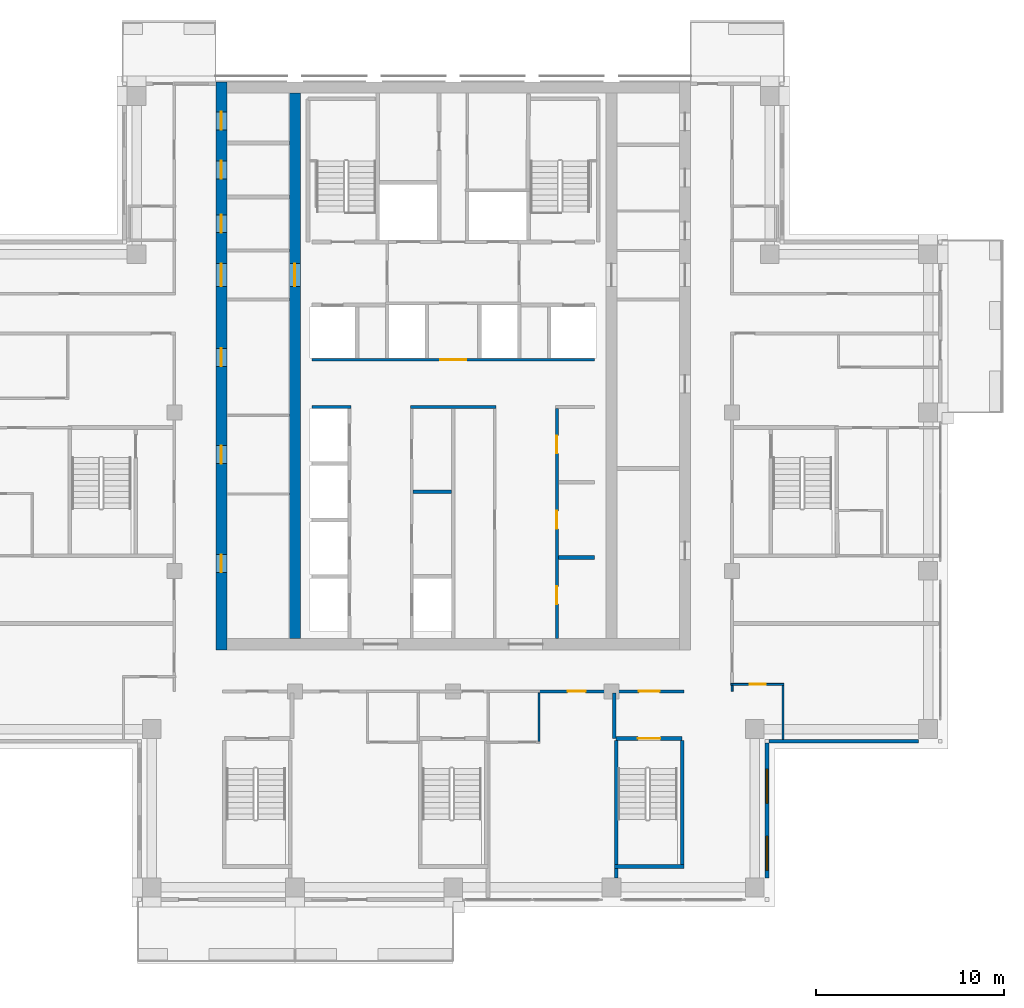
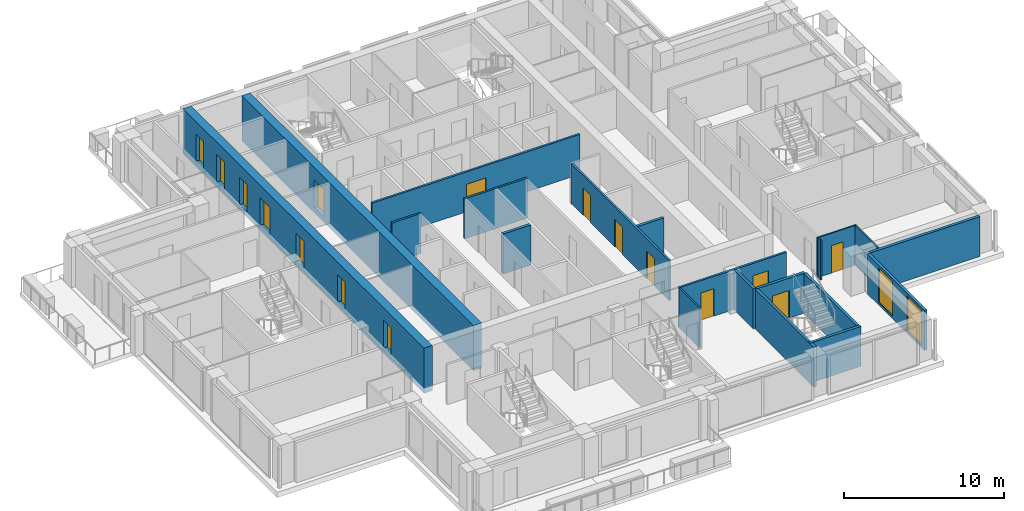
# One storey, part 8 of 15: 20 walls, 16 doors, 2 windows, 18 openings.
"""IFC4 building model written with IfcOpenShell, lengths in metres."""

import ifcopenshell
import ifcopenshell.guid

model = None  # the IFC model being written
_history = None  # IfcOwnerHistory: only IFC2X3 demands one
_inside = {}  # id of a spatial element -> (the spatial element, [elements in it])
_under = {}  # id of a project, library or spatial element -> (it, [spatial elements below it])
_declared = {}  # id of a project -> (the project, [libraries it declares])
_typed = {}  # id of a type object -> (the type object, [elements of that type])
_made_of = {}  # id of a material, layer set ... -> (it, [elements and type objects made of it])


def new_model(schema):
    """Start an empty IFC model of exactly this schema.

    Asked for "IFC4X3", IfcOpenShell would pick the latest addendum, in which some entities
    have other attributes; the version numbers below select the first issue.
    IFC2X3 requires an IfcOwnerHistory on every rooted entity: one is made here for all.
    """
    global model, _history
    if schema == "IFC4X3":
        model = ifcopenshell.file(schema_version=(4, 3, 0, 0))
    else:
        model = ifcopenshell.file(schema=schema)
    _inside.clear()
    _under.clear()
    _declared.clear()
    _typed.clear()
    _made_of.clear()
    _history = None
    if model.schema == "IFC2X3":
        org = make("IfcOrganization", Name="unknown")
        user = make(
            "IfcPersonAndOrganization",
            ThePerson=make("IfcPerson", FamilyName="unknown"),
            TheOrganization=org,
        )
        app = make(
            "IfcApplication",
            ApplicationDeveloper=org,
            Version="unknown",
            ApplicationFullName="unknown",
            ApplicationIdentifier="unknown",
        )
        _history = make(
            "IfcOwnerHistory",
            OwningUser=user,
            OwningApplication=app,
            ChangeAction="ADDED",
            CreationDate=0,
        )
    return model


def make(cls, **values):
    """One entity of the class cls with the attributes given. An attribute that is None is left unset."""
    return model.create_entity(
        cls, **{name: value for name, value in values.items() if value is not None}
    )


def rooted(cls, **values):
    """An entity with a GlobalId (a new one), such as an element, a storey or a relation."""
    return make(cls, GlobalId=ifcopenshell.guid.new(), OwnerHistory=_history, **values)


def si_unit(unit_type, name, prefix=None):
    """IfcSIUnit, for example si_unit("LENGTHUNIT", "METRE", prefix="MILLI")."""
    return make("IfcSIUnit", UnitType=unit_type, Prefix=prefix, Name=name)


def assignment(units):
    """IfcUnitAssignment: the units of a project."""
    return None if units is None else make("IfcUnitAssignment", Units=units)


def point(xyz):
    """IfcCartesianPoint."""
    return None if xyz is None else make("IfcCartesianPoint", Coordinates=xyz)


def direction(xyz):
    """IfcDirection."""
    return None if xyz is None else make("IfcDirection", DirectionRatios=xyz)


def frame(location, z_axis=None, x_axis=None):
    """IfcAxis2Placement3D, a coordinate frame: its origin and axes. An axis left out is left unset."""
    return make(
        "IfcAxis2Placement3D",
        Location=point(location),
        Axis=direction(z_axis),
        RefDirection=direction(x_axis),
    )


def frame_2d(location, x_axis=None):
    """IfcAxis2Placement2D, a coordinate frame in the plane: its origin and x axis."""
    return make(
        "IfcAxis2Placement2D", Location=point(location), RefDirection=direction(x_axis)
    )


def origin():
    """The frame at (0, 0, 0) with its axes left unset."""
    return frame((0.0, 0.0, 0.0))


def place(relative_to, where):
    """IfcLocalPlacement: puts the frame where relative to a parent placement (None: the world)."""
    return make(
        "IfcLocalPlacement", PlacementRelTo=relative_to, RelativePlacement=where
    )


def context(
    kind, dimensions, precision=None, world=None, true_north=None, identifier=None
):
    """IfcGeometricRepresentationContext, for example the 3D "Model" context."""
    return make(
        "IfcGeometricRepresentationContext",
        ContextIdentifier=identifier,
        ContextType=kind,
        CoordinateSpaceDimension=dimensions,
        Precision=precision,
        WorldCoordinateSystem=world,
        TrueNorth=true_north,
    )


def subcontext(parent, identifier, kind, view, scale=None):
    """IfcGeometricRepresentationSubContext, for example "Body" below "Model"."""
    return make(
        "IfcGeometricRepresentationSubContext",
        ContextIdentifier=identifier,
        ContextType=kind,
        ParentContext=parent,
        TargetScale=scale,
        TargetView=view,
    )


def project(units=None, contexts=None):
    """IfcProject with its units and contexts."""
    return rooted(
        "IfcProject",
        Name="project",
        RepresentationContexts=contexts,
        UnitsInContext=assignment(units),
    )


def spatial(cls, under=None, at=None, **own):
    """A site, building, storey or space (cls), placed at a placement, below another one or the project."""
    s = rooted(cls, ObjectPlacement=at, **own)
    if under is not None:
        _under.setdefault(under.id(), (under, []))[1].append(s)
    return s


def profile(cls, at=None, kind="AREA", **sizes):
    """A parametric profile (cls). Its sizes go by their IFC names, for example OverallWidth=200.0."""
    return make(cls, ProfileType=kind, Position=at, **sizes)


def rectangle(**sizes):
    """IfcRectangleProfileDef."""
    return profile("IfcRectangleProfileDef", **sizes)


def extrude(swept, where, along, depth):
    """IfcExtrudedAreaSolid: the profile swept, set in the frame where, extruded along a direction by depth."""
    return make(
        "IfcExtrudedAreaSolid",
        SweptArea=swept,
        Position=where,
        ExtrudedDirection=direction(along),
        Depth=depth,
    )


def shape(context_of_items, identifier, shape_type, items):
    """IfcShapeRepresentation: the items that make up one representation, for example the "Body"."""
    return make(
        "IfcShapeRepresentation",
        ContextOfItems=context_of_items,
        RepresentationIdentifier=identifier,
        RepresentationType=shape_type,
        Items=items,
    )


def material(Name=None, Category=None):
    """IfcMaterial."""
    return make("IfcMaterial", Name=Name, Category=Category)


def layer(
    of_material, thickness, ventilated=None, Name=None, Category=None, Priority=None
):
    """IfcMaterialLayer: one layer of a wall or slab, of a material (None: an air gap)."""
    return make(
        "IfcMaterialLayer",
        Material=of_material,
        LayerThickness=thickness,
        IsVentilated=ventilated,
        Name=Name,
        Category=Category,
        Priority=Priority,
    )


def layer_set(layers, Name=None):
    """IfcMaterialLayerSet."""
    return make("IfcMaterialLayerSet", MaterialLayers=layers, LayerSetName=Name)


def made_of(thing, what):
    """Note that an element or type object is made of a material, layer set ...; save() writes the relation."""
    if what is not None:
        _made_of.setdefault(what.id(), (what, []))[1].append(thing)
    return thing


def type_object(cls, material=None, **own):
    """A type object (cls), such as IfcWallType, which elements share."""
    return made_of(rooted(cls, **own), material)


def element(
    cls,
    number,
    at=None,
    inside=None,
    cuts=None,
    type_object=None,
    material=None,
    context=None,
    identifier="Body",
    shape_type=None,
    held_by="IfcProductDefinitionShape",
    body=None,
    shapes=None,
    **own,
):
    """One element of the class cls, such as IfcWall. Its Tag is "e" and its number.

    at: its placement. inside: the storey or other place that contains it. cuts: it is an
    opening in that element (IfcRelVoidsElement). A single representation is given by context,
    identifier, shape_type and body (its items); several are given by shapes. held_by: the class
    of the entity that holds the representations. save() writes the other relations.
    """
    e = rooted(cls, Tag="e%d" % number, ObjectPlacement=at, **own)
    if body is not None:
        shapes = [shape(context, identifier, shape_type, body)]
    if shapes is not None:
        e.Representation = make(held_by, Representations=shapes)
    if inside is not None:
        _inside.setdefault(inside.id(), (inside, []))[1].append(e)
    if cuts is not None:
        rooted(
            "IfcRelVoidsElement", RelatingBuildingElement=cuts, RelatedOpeningElement=e
        )
    if type_object is not None:
        _typed.setdefault(type_object.id(), (type_object, []))[1].append(e)
    return made_of(e, material)


def fill(opening, filler):
    """IfcRelFillsElement: the door or window that sits in an opening."""
    return rooted(
        "IfcRelFillsElement",
        RelatingOpeningElement=opening,
        RelatedBuildingElement=filler,
    )


def aggregate(whole, parts):
    """IfcRelAggregates: a whole, such as a stair, and the parts it consists of."""
    return rooted("IfcRelAggregates", RelatingObject=whole, RelatedObjects=parts)


def save(model, path):
    """Write the relations noted so far, then the file.

    IfcRelAggregates (storeys below a building ...), IfcRelContainedInSpatialStructure (elements
    in a storey), IfcRelDefinesByType, IfcRelAssociatesMaterial and IfcRelDeclares: one each for
    every whole, place, type object, material and project.
    """
    for whole, parts in _under.values():
        aggregate(whole, parts)
    for where, things in _inside.values():
        rooted(
            "IfcRelContainedInSpatialStructure",
            RelatedElements=things,
            RelatingStructure=where,
        )
    for kind, things in _typed.values():
        rooted("IfcRelDefinesByType", RelatedObjects=things, RelatingType=kind)
    for what, things in _made_of.values():
        rooted("IfcRelAssociatesMaterial", RelatedObjects=things, RelatingMaterial=what)
    for by, libraries in _declared.values():
        rooted("IfcRelDeclares", RelatingContext=by, RelatedDefinitions=libraries)
    model.write(path)


model = new_model("IFC4")

# Units and contexts
model_context = context("Model", 3, precision=1e-05, world=origin(), true_north=direction((0.0, 1.0)))
body_context = subcontext(model_context, "Body", "Model", "MODEL_VIEW")
ifc_project = project(units=[si_unit("LENGTHUNIT", "METRE"), si_unit("AREAUNIT", "SQUARE_METRE"), si_unit("VOLUMEUNIT", "CUBIC_METRE"), si_unit("PLANEANGLEUNIT", "RADIAN"), si_unit("MASSUNIT", "GRAM", prefix="KILO")], contexts=[model_context])

# Site, building, storey
site_placement = place(None, origin())
site = spatial("IfcSite", under=ifc_project, at=site_placement, CompositionType="ELEMENT")
building_placement = place(site_placement, origin())
building = spatial("IfcBuilding", under=site, at=building_placement, Name="Vermilion Ogive Tower", CompositionType="ELEMENT")
storey_placement = place(building_placement, frame((0.0, 0.0, 210.050048828125)))
storey = spatial("IfcBuildingStorey", under=building, at=storey_placement, Name="L55", CompositionType="ELEMENT", Elevation=210.050048828125)

# Wall, openings, doors
ifc_material_1 = material(Name="Concrete B60", Category="concrete")
ifc_layer_1 = layer(ifc_material_1, 0.60009765625)
ifc_layer_set_1 = layer_set([ifc_layer_1], Name="Core wall 600 B60")
wall_type_1 = type_object("IfcWallType", Name="Core wall 600 B60", PredefinedType="SHEAR", material=ifc_layer_set_1)
wall_1_placement = place(storey_placement, frame((-12.300048828125, -8.39990234375, -0.400146484375), z_axis=(0.0, 0.0, 1.0), x_axis=(0.0, 1.0, 0.0)))
wall_1 = element("IfcWall", 1, at=wall_1_placement, inside=storey, type_object=wall_type_1, Name="L55-CORE-W", PredefinedType="SHEAR", context=body_context, shape_type="SweptSolid", body=[
    extrude(rectangle(XDim=30.14990234375, YDim=0.60009765625, at=frame_2d((15.074951171875, 0.0))), origin(), (0.0, 0.0, 1.0), 3.4501953125),
])
opening_1_placement = place(wall_1_placement, frame((4.112548828125, 0.0, 0.39990234375)))
opening_1 = element("IfcOpeningElement", 2, at=opening_1_placement, cuts=wall_1, Name="Opening DAD089", PredefinedType="OPENING", context=body_context, shape_type="SweptSolid", body=[
    extrude(rectangle(XDim=0.949951171875, YDim=2.10009765625, at=frame_2d((0.47509765625, 1.050048828125))), frame((0.0, 0.31005859375, 0.0), z_axis=(0.0, -1.0, 0.0), x_axis=(1.0, 0.0, 0.0)), (0.0, 0.0, 1.0), 0.6201171875),
])
opening_2_placement = place(wall_1_placement, frame((9.8896484375, 0.0, 0.39990234375)))
opening_2 = element("IfcOpeningElement", 3, at=opening_2_placement, cuts=wall_1, Name="Opening DAD090", PredefinedType="OPENING", context=body_context, shape_type="SweptSolid", body=[
    extrude(rectangle(XDim=0.949951171875, YDim=2.10009765625, at=frame_2d((0.47509765625, 1.050048828125))), frame((0.0, 0.31005859375, 0.0), z_axis=(0.0, -1.0, 0.0), x_axis=(1.0, 0.0, 0.0)), (0.0, 0.0, 1.0), 0.6201171875),
])
opening_3_placement = place(wall_1_placement, frame((15.052001953125, 0.0, 0.39990234375)))
opening_3 = element("IfcOpeningElement", 4, at=opening_3_placement, cuts=wall_1, Name="Opening DAD091", PredefinedType="OPENING", context=body_context, shape_type="SweptSolid", body=[
    extrude(rectangle(XDim=0.949951171875, YDim=2.10009765625, at=frame_2d((0.47509765625, 1.050048828125))), frame((0.0, 0.31005859375, 0.0), z_axis=(0.0, -1.0, 0.0), x_axis=(1.0, 0.0, 0.0)), (0.0, 0.0, 1.0), 0.6201171875),
])
opening_4_placement = place(wall_1_placement, frame((22.1435546875, 0.0, 0.39990234375)))
opening_4 = element("IfcOpeningElement", 5, at=opening_4_placement, cuts=wall_1, Name="Opening DAD092", PredefinedType="OPENING", context=body_context, shape_type="SweptSolid", body=[
    extrude(rectangle(XDim=0.949951171875, YDim=2.10009765625, at=frame_2d((0.47509765625, 1.050048828125))), frame((0.0, 0.31005859375, 0.0), z_axis=(0.0, -1.0, 0.0), x_axis=(1.0, 0.0, 0.0)), (0.0, 0.0, 1.0), 0.6201171875),
])
opening_5_placement = place(wall_1_placement, frame((24.998291015625, 0.0, 0.39990234375)))
opening_5 = element("IfcOpeningElement", 6, at=opening_5_placement, cuts=wall_1, Name="Opening DAD093", PredefinedType="OPENING", context=body_context, shape_type="SweptSolid", body=[
    extrude(rectangle(XDim=0.949951171875, YDim=2.10009765625, at=frame_2d((0.47509765625, 1.050048828125))), frame((0.0, 0.31005859375, 0.0), z_axis=(0.0, -1.0, 0.0), x_axis=(1.0, 0.0, 0.0)), (0.0, 0.0, 1.0), 0.6201171875),
])
opening_6_placement = place(wall_1_placement, frame((27.604736328125, 0.0, 0.39990234375)))
opening_6 = element("IfcOpeningElement", 7, at=opening_6_placement, cuts=wall_1, Name="Opening DAD094", PredefinedType="OPENING", context=body_context, shape_type="SweptSolid", body=[
    extrude(rectangle(XDim=0.949951171875, YDim=2.10009765625, at=frame_2d((0.47509765625, 1.050048828125))), frame((0.0, 0.31005859375, 0.0), z_axis=(0.0, -1.0, 0.0), x_axis=(1.0, 0.0, 0.0)), (0.0, 0.0, 1.0), 0.6201171875),
])
opening_7_placement = place(wall_1_placement, frame((19.300048828125, 0.0, 0.39990234375)))
opening_7 = element("IfcOpeningElement", 8, at=opening_7_placement, cuts=wall_1, Name="Opening DAM022", PredefinedType="OPENING", context=body_context, shape_type="SweptSolid", body=[
    extrude(rectangle(XDim=1.199951171875, YDim=2.10009765625, at=frame_2d((0.60009765625, 1.050048828125))), frame((0.0, 0.31005859375, 0.0), z_axis=(0.0, -1.0, 0.0), x_axis=(1.0, 0.0, 0.0)), (0.0, 0.0, 1.0), 0.6201171875),
])
ifc_material_2 = material(Name="Timber door leaf", Category="wood")
door_type_1 = type_object("IfcDoorType", Name="Link door 1200 x 2100 FD60S", OperationType="SINGLE_SWING_LEFT", PredefinedType="DOOR", material=ifc_material_2)
door_1_placement = place(opening_7_placement, origin())
door_1 = element("IfcDoor", 9, at=door_1_placement, inside=storey, type_object=door_type_1, Name="L55-CKW-XL", OperationType="SINGLE_SWING_LEFT", OverallHeight=2.10009765625, OverallWidth=1.199951171875, PredefinedType="DOOR", context=body_context, shape_type="SweptSolid", body=[
    extrude(rectangle(XDim=1.199951171875, YDim=2.10009765625, at=frame_2d((0.60009765625, 1.050048828125))), frame((0.0, 0.02490234375, 0.0), z_axis=(0.0, -1.0, 0.0), x_axis=(1.0, 0.0, 0.0)), (0.0, 0.0, 1.0), 0.050048828125),
])
fill(opening_7, door_1)
ifc_material_3 = material(Name="Timber door leaf", Category="wood")
door_type_2 = type_object("IfcDoorType", Name="Service door 950 x 2100 FD60", OperationType="SINGLE_SWING_LEFT", PredefinedType="DOOR", material=ifc_material_3)
door_2_placement = place(opening_1_placement, origin())
door_2 = element("IfcDoor", 10, at=door_2_placement, inside=storey, type_object=door_type_2, Name="L55-CKW-XR0", OperationType="SINGLE_SWING_LEFT", OverallHeight=2.10009765625, OverallWidth=0.949951171875, PredefinedType="DOOR", context=body_context, shape_type="SweptSolid", body=[
    extrude(rectangle(XDim=0.949951171875, YDim=2.10009765625, at=frame_2d((0.47509765625, 1.050048828125))), frame((0.0, 0.02490234375, 0.0), z_axis=(0.0, -1.0, 0.0), x_axis=(1.0, 0.0, 0.0)), (0.0, 0.0, 1.0), 0.050048828125),
])
fill(opening_1, door_2)
door_3_placement = place(opening_2_placement, origin())
door_3 = element("IfcDoor", 11, at=door_3_placement, inside=storey, type_object=door_type_2, Name="L55-CKW-XR1", OperationType="SINGLE_SWING_LEFT", OverallHeight=2.10009765625, OverallWidth=0.949951171875, PredefinedType="DOOR", context=body_context, shape_type="SweptSolid", body=[
    extrude(rectangle(XDim=0.949951171875, YDim=2.10009765625, at=frame_2d((0.47509765625, 1.050048828125))), frame((0.0, 0.02490234375, 0.0), z_axis=(0.0, -1.0, 0.0), x_axis=(1.0, 0.0, 0.0)), (0.0, 0.0, 1.0), 0.050048828125),
])
fill(opening_2, door_3)
door_4_placement = place(opening_3_placement, origin())
door_4 = element("IfcDoor", 12, at=door_4_placement, inside=storey, type_object=door_type_2, Name="L55-CKW-XR2", OperationType="SINGLE_SWING_LEFT", OverallHeight=2.10009765625, OverallWidth=0.949951171875, PredefinedType="DOOR", context=body_context, shape_type="SweptSolid", body=[
    extrude(rectangle(XDim=0.949951171875, YDim=2.10009765625, at=frame_2d((0.47509765625, 1.050048828125))), frame((0.0, 0.02490234375, 0.0), z_axis=(0.0, -1.0, 0.0), x_axis=(1.0, 0.0, 0.0)), (0.0, 0.0, 1.0), 0.050048828125),
])
fill(opening_3, door_4)
door_5_placement = place(opening_4_placement, origin())
door_5 = element("IfcDoor", 13, at=door_5_placement, inside=storey, type_object=door_type_2, Name="L55-CKW-XR3", OperationType="SINGLE_SWING_LEFT", OverallHeight=2.10009765625, OverallWidth=0.949951171875, PredefinedType="DOOR", context=body_context, shape_type="SweptSolid", body=[
    extrude(rectangle(XDim=0.949951171875, YDim=2.10009765625, at=frame_2d((0.47509765625, 1.050048828125))), frame((0.0, 0.02490234375, 0.0), z_axis=(0.0, -1.0, 0.0), x_axis=(1.0, 0.0, 0.0)), (0.0, 0.0, 1.0), 0.050048828125),
])
fill(opening_4, door_5)
door_6_placement = place(opening_5_placement, origin())
door_6 = element("IfcDoor", 14, at=door_6_placement, inside=storey, type_object=door_type_2, Name="L55-CKW-XR4", OperationType="SINGLE_SWING_LEFT", OverallHeight=2.10009765625, OverallWidth=0.949951171875, PredefinedType="DOOR", context=body_context, shape_type="SweptSolid", body=[
    extrude(rectangle(XDim=0.949951171875, YDim=2.10009765625, at=frame_2d((0.47509765625, 1.050048828125))), frame((0.0, 0.02490234375, 0.0), z_axis=(0.0, -1.0, 0.0), x_axis=(1.0, 0.0, 0.0)), (0.0, 0.0, 1.0), 0.050048828125),
])
fill(opening_5, door_6)
door_7_placement = place(opening_6_placement, origin())
door_7 = element("IfcDoor", 15, at=door_7_placement, inside=storey, type_object=door_type_2, Name="L55-CKW-XR5", OperationType="SINGLE_SWING_LEFT", OverallHeight=2.10009765625, OverallWidth=0.949951171875, PredefinedType="DOOR", context=body_context, shape_type="SweptSolid", body=[
    extrude(rectangle(XDim=0.949951171875, YDim=2.10009765625, at=frame_2d((0.47509765625, 1.050048828125))), frame((0.0, 0.02490234375, 0.0), z_axis=(0.0, -1.0, 0.0), x_axis=(1.0, 0.0, 0.0)), (0.0, 0.0, 1.0), 0.050048828125),
])
fill(opening_6, door_7)

# Wall, opening, door
wall_2_placement = place(storey_placement, frame((-8.39990234375, -7.800048828125, -0.400146484375), z_axis=(0.0, 0.0, 1.0), x_axis=(0.0, 1.0, 0.0)))
wall_2 = element("IfcWall", 16, at=wall_2_placement, inside=storey, type_object=wall_type_1, Name="L55-CORE-WEB1", PredefinedType="SHEAR", context=body_context, shape_type="SweptSolid", body=[
    extrude(rectangle(XDim=28.949951171875, YDim=0.60009765625, at=frame_2d((14.47509765625, 0.0))), origin(), (0.0, 0.0, 1.0), 3.4501953125),
])
opening_8_placement = place(wall_2_placement, frame((18.699951171875, 0.0, 0.39990234375)))
opening_8 = element("IfcOpeningElement", 17, at=opening_8_placement, cuts=wall_2, Name="Opening DAP017", PredefinedType="OPENING", context=body_context, shape_type="SweptSolid", body=[
    extrude(rectangle(XDim=1.199951171875, YDim=2.10009765625, at=frame_2d((0.60009765625, 1.050048828125))), frame((0.0, 0.31005859375, 0.0), z_axis=(0.0, -1.0, 0.0), x_axis=(1.0, 0.0, 0.0)), (0.0, 0.0, 1.0), 0.6201171875),
])
door_8_placement = place(opening_8_placement, origin())
door_8 = element("IfcDoor", 18, at=door_8_placement, inside=storey, type_object=door_type_1, Name="L55-CKW-XW", OperationType="SINGLE_SWING_LEFT", OverallHeight=2.10009765625, OverallWidth=1.199951171875, PredefinedType="DOOR", context=body_context, shape_type="SweptSolid", body=[
    extrude(rectangle(XDim=1.199951171875, YDim=2.10009765625, at=frame_2d((0.60009765625, 1.050048828125))), frame((0.0, 0.02490234375, 0.0), z_axis=(0.0, -1.0, 0.0), x_axis=(1.0, 0.0, 0.0)), (0.0, 0.0, 1.0), 0.050048828125),
])
fill(opening_8, door_8)

ifc_material_4 = material(Name="Gypsum board partition on steel studs", Category="steel")
ifc_layer_2 = layer(ifc_material_4, 0.10009765625)
ifc_layer_set_2 = layer_set([ifc_layer_2], Name="Partition 100 bath")
wall_type_2 = type_object("IfcWallType", Name="Partition 100 bath", PredefinedType="PARTITIONING", material=ifc_layer_set_2)
wall_3_placement = place(storey_placement, frame((14.72509765625, -10.22998046875, 0.0), z_axis=(0.0, 0.0, 1.0), x_axis=(1.0, 0.0, 0.0)))
wall_3 = element("IfcWall", 19, at=wall_3_placement, inside=storey, type_object=wall_type_2, Name="L55-W-W012", PredefinedType="PARTITIONING", context=body_context, shape_type="SweptSolid", body=[
    extrude(rectangle(XDim=2.824951171875, YDim=0.10009765625, at=frame_2d((1.41259765625, 0.0))), origin(), (0.0, 0.0, 1.0), 3.050048828125),
])
opening_9_placement = place(wall_3_placement, frame((1.0, 0.0, 0.0)))
opening_9 = element("IfcOpeningElement", 20, at=opening_9_placement, cuts=wall_3, Name="Opening D4G5014", PredefinedType="OPENING", context=body_context, shape_type="SweptSolid", body=[
    extrude(rectangle(XDim=0.85009765625, YDim=2.10009765625, at=frame_2d((0.425048828125, 1.050048828125))), frame((0.0, 0.06005859375, 0.0), z_axis=(0.0, -1.0, 0.0), x_axis=(1.0, 0.0, 0.0)), (0.0, 0.0, 1.0), 0.1201171875),
])
ifc_material_5 = material(Name="Timber door leaf", Category="wood")
door_type_3 = type_object("IfcDoorType", Name="Bath door 850 x 2100 FD30", OperationType="SINGLE_SWING_LEFT", PredefinedType="DOOR", material=ifc_material_5)
door_9_placement = place(opening_9_placement, origin())
door_9 = element("IfcDoor", 21, at=door_9_placement, inside=storey, type_object=door_type_3, Name="L55-D-D014", OperationType="SINGLE_SWING_RIGHT", OverallHeight=2.10009765625, OverallWidth=0.85009765625, PredefinedType="DOOR", context=body_context, shape_type="SweptSolid", body=[
    extrude(rectangle(XDim=0.85009765625, YDim=2.10009765625, at=frame_2d((0.425048828125, 1.050048828125))), frame((0.0, 0.02490234375, 0.0), z_axis=(0.0, -1.0, 0.0), x_axis=(1.0, 0.0, 0.0)), (0.0, 0.0, 1.0), 0.050048828125),
])
fill(opening_9, door_9)

# Walls
wall_4_placement = place(storey_placement, frame((4.550048828125, -13.25, 0.0), z_axis=(0.0, 0.0, 1.0), x_axis=(0.0, 1.0, 0.0)))
element("IfcWall", 22, at=wall_4_placement, inside=storey, type_object=wall_type_2, Name="L55-W-W057", PredefinedType="PARTITIONING", context=body_context, shape_type="SweptSolid", body=[
    extrude(rectangle(XDim=2.574951171875, YDim=0.10009765625, at=frame_2d((1.28759765625, 0.0))), origin(), (0.0, 0.0, 1.0), 3.050048828125),
])
wall_5_placement = place(storey_placement, frame((14.800048828125, -10.60009765625, 0.0), z_axis=(0.0, 0.0, 1.0), x_axis=(0.0, 1.0, 0.0)))
element("IfcWall", 23, at=wall_5_placement, inside=storey, type_object=wall_type_2, Name="L55-W-W059", PredefinedType="PARTITIONING", context=body_context, shape_type="SweptSolid", body=[
    extrude(rectangle(XDim=0.320068359375, YDim=0.10009765625, at=frame_2d((0.16015625, 0.0))), origin(), (0.0, 0.0, 1.0), 3.050048828125),
])
wall_6_placement = place(storey_placement, frame((17.5, -13.14990234375, 0.0), z_axis=(0.0, 0.0, 1.0), x_axis=(0.0, 1.0, 0.0)))
element("IfcWall", 24, at=wall_6_placement, inside=storey, type_object=wall_type_2, Name="L55-W-W066", PredefinedType="PARTITIONING", context=body_context, shape_type="SweptSolid", body=[
    extrude(rectangle(XDim=2.869873046875, YDim=0.10009765625, at=frame_2d((1.43505859375, 0.0))), origin(), (0.0, 0.0, 1.0), 3.050048828125),
])

# Wall, openings, doors
ifc_material_6 = material(Name="Gypsum board partition on steel studs", Category="steel")
ifc_layer_3 = layer(ifc_material_6, 0.14990234375)
ifc_layer_set_3 = layer_set([ifc_layer_3], Name="Partition 150 corridor")
wall_type_3 = type_object("IfcWallType", Name="Partition 150 corridor", PredefinedType="PARTITIONING", material=ifc_layer_set_3)
wall_7_placement = place(storey_placement, frame((4.5, -10.60009765625, 0.0), z_axis=(0.0, 0.0, 1.0), x_axis=(1.0, 0.0, 0.0)))
wall_7 = element("IfcWall", 25, at=wall_7_placement, inside=storey, type_object=wall_type_3, Name="L55-W-W011", PredefinedType="PARTITIONING", context=body_context, shape_type="SweptSolid", body=[
    extrude(rectangle(XDim=7.75, YDim=0.14990234375, at=frame_2d((3.875, 0.0))), origin(), (0.0, 0.0, 1.0), 3.050048828125),
])
opening_10_placement = place(wall_7_placement, frame((1.574951171875, 0.0, 0.0)))
opening_10 = element("IfcOpeningElement", 26, at=opening_10_placement, cuts=wall_7, Name="Opening D4G5011", PredefinedType="OPENING", context=body_context, shape_type="SweptSolid", body=[
    extrude(rectangle(XDim=0.949951171875, YDim=2.10009765625, at=frame_2d((0.47509765625, 1.050048828125))), frame((0.0, 0.0849609375, 0.0), z_axis=(0.0, -1.0, 0.0), x_axis=(1.0, 0.0, 0.0)), (0.0, 0.0, 1.0), 0.169921875),
])
opening_11_placement = place(wall_7_placement, frame((5.35009765625, 0.0, 0.0)))
opening_11 = element("IfcOpeningElement", 27, at=opening_11_placement, cuts=wall_7, Name="Opening D4G5026", PredefinedType="OPENING", context=body_context, shape_type="SweptSolid", body=[
    extrude(rectangle(XDim=1.10009765625, YDim=2.10009765625, at=frame_2d((0.550048828125, 1.050048828125))), frame((0.0, 0.0849609375, 0.0), z_axis=(0.0, -1.0, 0.0), x_axis=(1.0, 0.0, 0.0)), (0.0, 0.0, 1.0), 0.169921875),
])
ifc_material_7 = material(Name="Timber door leaf", Category="wood")
door_type_4 = type_object("IfcDoorType", Name="Stair door 1100 x 2100 FD60S", OperationType="SINGLE_SWING_LEFT", PredefinedType="DOOR", material=ifc_material_7)
door_10_placement = place(opening_11_placement, origin())
door_10 = element("IfcDoor", 28, at=door_10_placement, inside=storey, type_object=door_type_4, Name="L55-D-D026", OperationType="SINGLE_SWING_LEFT", OverallHeight=2.10009765625, OverallWidth=1.10009765625, PredefinedType="DOOR", context=body_context, shape_type="SweptSolid", body=[
    extrude(rectangle(XDim=1.10009765625, YDim=2.10009765625, at=frame_2d((0.550048828125, 1.050048828125))), frame((0.0, 0.02490234375, 0.0), z_axis=(0.0, -1.0, 0.0), x_axis=(1.0, 0.0, 0.0)), (0.0, 0.0, 1.0), 0.050048828125),
])
fill(opening_11, door_10)
ifc_material_8 = material(Name="Timber door leaf", Category="wood")
door_type_5 = type_object("IfcDoorType", Name="Unit door 950 x 2100 FD30S", OperationType="SINGLE_SWING_LEFT", PredefinedType="DOOR", material=ifc_material_8)
door_11_placement = place(opening_10_placement, origin())
door_11 = element("IfcDoor", 29, at=door_11_placement, inside=storey, type_object=door_type_5, Name="L55-D-D011", OperationType="SINGLE_SWING_LEFT", OverallHeight=2.10009765625, OverallWidth=0.949951171875, PredefinedType="DOOR", context=body_context, shape_type="SweptSolid", body=[
    extrude(rectangle(XDim=0.949951171875, YDim=2.10009765625, at=frame_2d((0.47509765625, 1.050048828125))), frame((0.0, 0.02490234375, 0.0), z_axis=(0.0, -1.0, 0.0), x_axis=(1.0, 0.0, 0.0)), (0.0, 0.0, 1.0), 0.050048828125),
])
fill(opening_10, door_11)

# Walls
wall_8_placement = place(storey_placement, frame((-7.5, 4.5, 0.0), z_axis=(0.0, 0.0, 1.0), x_axis=(1.0, 0.0, 0.0)))
element("IfcWall", 30, at=wall_8_placement, inside=storey, type_object=wall_type_3, Name="L55-CK-W-W008", PredefinedType="PARTITIONING", context=body_context, shape_type="SweptSolid", body=[
    extrude(rectangle(XDim=2.074951171875, YDim=0.14990234375, at=frame_2d((1.03759765625, 0.0))), origin(), (0.0, 0.0, 1.0), 3.050048828125),
])
wall_9_placement = place(storey_placement, frame((-2.27490234375, 4.5, 0.0), z_axis=(0.0, 0.0, 1.0), x_axis=(1.0, 0.0, 0.0)))
element("IfcWall", 31, at=wall_9_placement, inside=storey, type_object=wall_type_3, Name="L55-CK-W-W009", PredefinedType="PARTITIONING", context=body_context, shape_type="SweptSolid", body=[
    extrude(rectangle(XDim=4.5498046875, YDim=0.14990234375, at=frame_2d((2.27490234375, 0.0))), origin(), (0.0, 0.0, 1.0), 3.050048828125),
])

# Wall, opening, door
wall_10_placement = place(storey_placement, frame((-7.5, 7.0, 0.0), z_axis=(0.0, 0.0, 1.0), x_axis=(1.0, 0.0, 0.0)))
wall_10 = element("IfcWall", 32, at=wall_10_placement, inside=storey, type_object=wall_type_3, Name="L55-CK-W-W011", PredefinedType="PARTITIONING", context=body_context, shape_type="SweptSolid", body=[
    extrude(rectangle(XDim=15.0, YDim=0.14990234375, at=frame_2d((7.5, 0.0))), origin(), (0.0, 0.0, 1.0), 3.050048828125),
])
opening_12_placement = place(wall_10_placement, frame((6.800048828125, 0.0, 0.0)))
opening_12 = element("IfcOpeningElement", 33, at=opening_12_placement, cuts=wall_10, Name="Opening DAA492", PredefinedType="OPENING", context=body_context, shape_type="SweptSolid", body=[
    extrude(rectangle(XDim=1.39990234375, YDim=2.10009765625, at=frame_2d((0.699951171875, 1.050048828125))), frame((0.0, 0.0849609375, 0.0), z_axis=(0.0, -1.0, 0.0), x_axis=(1.0, 0.0, 0.0)), (0.0, 0.0, 1.0), 0.169921875),
])
ifc_material_9 = material(Name="Timber door leaf", Category="wood")
door_type_6 = type_object("IfcDoorType", Name="Lobby door 1400 x 2100 FD60S", OperationType="SINGLE_SWING_LEFT", PredefinedType="DOOR", material=ifc_material_9)
door_12_placement = place(opening_12_placement, origin())
door_12 = element("IfcDoor", 34, at=door_12_placement, inside=storey, type_object=door_type_6, Name="L55-CK-D-D016", OperationType="SINGLE_SWING_RIGHT", OverallHeight=2.10009765625, OverallWidth=1.39990234375, PredefinedType="DOOR", context=body_context, shape_type="SweptSolid", body=[
    extrude(rectangle(XDim=1.39990234375, YDim=2.10009765625, at=frame_2d((0.699951171875, 1.050048828125))), frame((0.0, 0.02490234375, 0.0), z_axis=(0.0, -1.0, 0.0), x_axis=(1.0, 0.0, 0.0)), (0.0, 0.0, 1.0), 0.050048828125),
])
fill(opening_12, door_12)

# Wall, openings, doors
wall_11_placement = place(storey_placement, frame((5.5, -7.799072265625, 0.0), z_axis=(0.0, 0.0, 1.0), x_axis=(0.0, 1.0, 0.0)))
wall_11 = element("IfcWall", 35, at=wall_11_placement, inside=storey, type_object=wall_type_3, Name="L55-CK-W-W038", PredefinedType="PARTITIONING", context=body_context, shape_type="SweptSolid", body=[
    extrude(rectangle(XDim=12.22412109375, YDim=0.14990234375, at=frame_2d((6.112060546875, 0.0))), origin(), (0.0, 0.0, 1.0), 3.050048828125),
])
opening_13_placement = place(wall_11_placement, frame((1.823974609375, 0.0, 0.0)))
opening_13 = element("IfcOpeningElement", 36, at=opening_13_placement, cuts=wall_11, Name="Opening DAA498", PredefinedType="OPENING", context=body_context, shape_type="SweptSolid", body=[
    extrude(rectangle(XDim=0.949951171875, YDim=2.10009765625, at=frame_2d((0.47509765625, 1.050048828125))), frame((0.0, 0.0849609375, 0.0), z_axis=(0.0, -1.0, 0.0), x_axis=(1.0, 0.0, 0.0)), (0.0, 0.0, 1.0), 0.169921875),
])
opening_14_placement = place(wall_11_placement, frame((5.823974609375, 0.0, 0.0)))
opening_14 = element("IfcOpeningElement", 37, at=opening_14_placement, cuts=wall_11, Name="Opening DAA499", PredefinedType="OPENING", context=body_context, shape_type="SweptSolid", body=[
    extrude(rectangle(XDim=0.949951171875, YDim=2.10009765625, at=frame_2d((0.47509765625, 1.050048828125))), frame((0.0, 0.0849609375, 0.0), z_axis=(0.0, -1.0, 0.0), x_axis=(1.0, 0.0, 0.0)), (0.0, 0.0, 1.0), 0.169921875),
])
opening_15_placement = place(wall_11_placement, frame((9.823974609375, 0.0, 0.0)))
opening_15 = element("IfcOpeningElement", 38, at=opening_15_placement, cuts=wall_11, Name="Opening DAA500", PredefinedType="OPENING", context=body_context, shape_type="SweptSolid", body=[
    extrude(rectangle(XDim=0.949951171875, YDim=2.10009765625, at=frame_2d((0.47509765625, 1.050048828125))), frame((0.0, 0.0849609375, 0.0), z_axis=(0.0, -1.0, 0.0), x_axis=(1.0, 0.0, 0.0)), (0.0, 0.0, 1.0), 0.169921875),
])
door_13_placement = place(opening_13_placement, origin())
door_13 = element("IfcDoor", 39, at=door_13_placement, inside=storey, type_object=door_type_2, Name="L55-CK-D-D009", OperationType="SINGLE_SWING_LEFT", OverallHeight=2.10009765625, OverallWidth=0.949951171875, PredefinedType="DOOR", context=body_context, shape_type="SweptSolid", body=[
    extrude(rectangle(XDim=0.949951171875, YDim=2.10009765625, at=frame_2d((0.47509765625, 1.050048828125))), frame((0.0, 0.02490234375, 0.0), z_axis=(0.0, -1.0, 0.0), x_axis=(1.0, 0.0, 0.0)), (0.0, 0.0, 1.0), 0.050048828125),
])
fill(opening_13, door_13)
door_14_placement = place(opening_14_placement, origin())
door_14 = element("IfcDoor", 40, at=door_14_placement, inside=storey, type_object=door_type_2, Name="L55-CK-D-D010", OperationType="SINGLE_SWING_LEFT", OverallHeight=2.10009765625, OverallWidth=0.949951171875, PredefinedType="DOOR", context=body_context, shape_type="SweptSolid", body=[
    extrude(rectangle(XDim=0.949951171875, YDim=2.10009765625, at=frame_2d((0.47509765625, 1.050048828125))), frame((0.0, 0.02490234375, 0.0), z_axis=(0.0, -1.0, 0.0), x_axis=(1.0, 0.0, 0.0)), (0.0, 0.0, 1.0), 0.050048828125),
])
fill(opening_14, door_14)
door_15_placement = place(opening_15_placement, origin())
door_15 = element("IfcDoor", 41, at=door_15_placement, inside=storey, type_object=door_type_2, Name="L55-CK-D-D011", OperationType="SINGLE_SWING_RIGHT", OverallHeight=2.10009765625, OverallWidth=0.949951171875, PredefinedType="DOOR", context=body_context, shape_type="SweptSolid", body=[
    extrude(rectangle(XDim=0.949951171875, YDim=2.10009765625, at=frame_2d((0.47509765625, 1.050048828125))), frame((0.0, 0.02490234375, 0.0), z_axis=(0.0, -1.0, 0.0), x_axis=(1.0, 0.0, 0.0)), (0.0, 0.0, 1.0), 0.050048828125),
])
fill(opening_15, door_15)

# Walls
ifc_material_10 = material(Name="Gypsum board partition on steel studs", Category="steel")
ifc_layer_4 = layer(ifc_material_10, 0.199951171875)
ifc_layer_set_4 = layer_set([ifc_layer_4], Name="Partition 200 party")
wall_type_4 = type_object("IfcWallType", Name="Partition 200 party", PredefinedType="PARTITIONING", material=ifc_layer_set_4)
wall_12_placement = place(storey_placement, frame((8.550048828125, -13.10009765625, 0.0), z_axis=(0.0, 0.0, 1.0), x_axis=(0.0, 1.0, 0.0)))
element("IfcWall", 42, at=wall_12_placement, inside=storey, type_object=wall_type_4, Name="L55-W-W058", PredefinedType="PARTITIONING", context=body_context, shape_type="SweptSolid", body=[
    extrude(rectangle(XDim=2.425048828125, YDim=0.199951171875, at=frame_2d((1.21240234375, 0.0))), origin(), (0.0, 0.0, 1.0), 3.050048828125),
])
wall_13_placement = place(storey_placement, frame((5.574951171875, -3.5, 0.0), z_axis=(0.0, 0.0, 1.0), x_axis=(1.0, 0.0, 0.0)))
element("IfcWall", 43, at=wall_13_placement, inside=storey, type_object=wall_type_4, Name="L55-CK-W-W003", PredefinedType="PARTITIONING", context=body_context, shape_type="SweptSolid", body=[
    extrude(rectangle(XDim=1.925048828125, YDim=0.199951171875, at=frame_2d((0.96240234375, 0.0))), origin(), (0.0, 0.0, 1.0), 3.050048828125),
])
wall_14_placement = place(storey_placement, frame((-2.125, 0.0, 0.0), z_axis=(0.0, 0.0, 1.0), x_axis=(1.0, 0.0, 0.0)))
element("IfcWall", 44, at=wall_14_placement, inside=storey, type_object=wall_type_4, Name="L55-CK-W-W005", PredefinedType="PARTITIONING", context=body_context, shape_type="SweptSolid", body=[
    extrude(rectangle(XDim=2.02490234375, YDim=0.199951171875, at=frame_2d((1.012451171875, 0.0))), origin(), (0.0, 0.0, 1.0), 3.050048828125),
])

# Wall, opening, door
ifc_material_11 = material(Name="Concrete B60", Category="concrete")
ifc_layer_5 = layer(ifc_material_11, 0.199951171875)
ifc_layer_set_5 = layer_set([ifc_layer_5], Name="Stair shaft wall 200 Concrete B60")
wall_type_5 = type_object("IfcWallType", Name="Stair shaft wall 200 Concrete B60", PredefinedType="SOLIDWALL", material=ifc_layer_set_5)
wall_15_placement = place(storey_placement, frame((8.64990234375, -13.10009765625, 0.0), z_axis=(0.0, 0.0, 1.0), x_axis=(1.0, 0.0, 0.0)))
wall_15 = element("IfcWall", 45, at=wall_15_placement, inside=storey, type_object=wall_type_5, Name="L55-W-W006", PredefinedType="SOLIDWALL", context=body_context, shape_type="SweptSolid", body=[
    extrude(rectangle(XDim=3.5, YDim=0.199951171875, at=frame_2d((1.75, 0.0))), origin(), (0.0, 0.0, 1.0), 3.050048828125),
])
opening_16_placement = place(wall_15_placement, frame((1.150146484375, 0.0, 0.0)))
opening_16 = element("IfcOpeningElement", 46, at=opening_16_placement, cuts=wall_15, Name="Opening D4G5027", PredefinedType="OPENING", context=body_context, shape_type="SweptSolid", body=[
    extrude(rectangle(XDim=1.199951171875, YDim=2.10009765625, at=frame_2d((0.60009765625, 1.050048828125))), frame((0.0, 0.10986328125, 0.0), z_axis=(0.0, -1.0, 0.0), x_axis=(1.0, 0.0, 0.0)), (0.0, 0.0, 1.0), 0.219970703125),
])
ifc_material_12 = material(Name="Timber door leaf", Category="wood")
door_type_7 = type_object("IfcDoorType", Name="Stair door 1200 x 2100 FD60S", OperationType="SINGLE_SWING_LEFT", PredefinedType="DOOR", material=ifc_material_12)
door_16_placement = place(opening_16_placement, origin())
door_16 = element("IfcDoor", 47, at=door_16_placement, inside=storey, type_object=door_type_7, Name="L55-D-D027", OperationType="SINGLE_SWING_RIGHT", OverallHeight=2.10009765625, OverallWidth=1.199951171875, PredefinedType="DOOR", context=body_context, shape_type="SweptSolid", body=[
    extrude(rectangle(XDim=1.199951171875, YDim=2.10009765625, at=frame_2d((0.60009765625, 1.050048828125))), frame((0.0, 0.02490234375, 0.0), z_axis=(0.0, -1.0, 0.0), x_axis=(1.0, 0.0, 0.0)), (0.0, 0.0, 1.0), 0.050048828125),
])
fill(opening_16, door_16)

# Walls
wall_16_placement = place(storey_placement, frame((8.550048828125, -19.89990234375, 0.0), z_axis=(0.0, 0.0, 1.0), x_axis=(1.0, 0.0, 0.0)))
element("IfcWall", 48, at=wall_16_placement, inside=storey, type_object=wall_type_5, Name="L55-SW-ST5-S1", PredefinedType="SOLIDWALL", context=body_context, shape_type="SweptSolid", body=[
    extrude(rectangle(XDim=3.699951171875, YDim=0.199951171875, at=frame_2d((1.85009765625, 0.0))), origin(), (0.0, 0.0, 1.0), 3.050048828125),
])
wall_17_placement = place(storey_placement, frame((12.14990234375, -19.800048828125, 0.0), z_axis=(0.0, 0.0, 1.0), x_axis=(0.0, 1.0, 0.0)))
element("IfcWall", 49, at=wall_17_placement, inside=storey, type_object=wall_type_5, Name="L55-SW-ST5-E1", PredefinedType="SOLIDWALL", context=body_context, shape_type="SweptSolid", body=[
    extrude(rectangle(XDim=6.60009765625, YDim=0.199951171875, at=frame_2d((3.300048828125, 0.0))), origin(), (0.0, 0.0, 1.0), 3.050048828125),
])
wall_18_placement = place(storey_placement, frame((8.64990234375, -20.5, 0.0), z_axis=(0.0, 0.0, 1.0), x_axis=(0.0, 1.0, 0.0)))
element("IfcWall", 50, at=wall_18_placement, inside=storey, type_object=wall_type_5, Name="L55-SW-ST5-W1-A", PredefinedType="SOLIDWALL", context=body_context, shape_type="SweptSolid", body=[
    extrude(rectangle(XDim=7.298095703125, YDim=0.199951171875, at=frame_2d((3.64892578125, 0.0))), origin(), (0.0, 0.0, 1.0), 3.050048828125),
])

# Wall, openings, windows
ifc_material_13 = material(Name="Aluminium window wall framing", Category="aluminium")
ifc_layer_6 = layer(ifc_material_13, 0.199951171875)
ifc_layer_set_6 = layer_set([ifc_layer_6], Name="Window wall")
wall_type_6 = type_object("IfcWallType", Name="Window wall", PredefinedType="STANDARD", material=ifc_layer_set_6)
wall_19_placement = place(storey_placement, frame((16.64990234375, -20.5, 0.0), z_axis=(0.0, 0.0, 1.0), x_axis=(0.0, 1.0, 0.0)))
wall_19 = element("IfcWall", 51, at=wall_19_placement, inside=storey, type_object=wall_type_6, Name="Window wall X11", PredefinedType="STANDARD", context=body_context, shape_type="SweptSolid", body=[
    extrude(rectangle(XDim=7.14990234375, YDim=0.199951171875, at=frame_2d((3.574951171875, 0.0))), origin(), (0.0, 0.0, 1.0), 3.050048828125),
])
opening_17_placement = place(wall_19_placement, frame((0.39990234375, 0.0, 0.199951171875)))
opening_17 = element("IfcOpeningElement", 52, at=opening_17_placement, cuts=wall_19, Name="Opening W1-X195", PredefinedType="OPENING", context=body_context, shape_type="SweptSolid", body=[
    extrude(rectangle(XDim=1.800048828125, YDim=2.64990234375, at=frame_2d((0.89990234375, 1.324951171875))), frame((0.0, 0.10986328125, 0.0), z_axis=(0.0, -1.0, 0.0), x_axis=(1.0, 0.0, 0.0)), (0.0, 0.0, 1.0), 0.219970703125),
])
opening_18_placement = place(wall_19_placement, frame((3.97509765625, 0.0, 0.199951171875)))
opening_18 = element("IfcOpeningElement", 53, at=opening_18_placement, cuts=wall_19, Name="Opening W1-X196", PredefinedType="OPENING", context=body_context, shape_type="SweptSolid", body=[
    extrude(rectangle(XDim=1.800048828125, YDim=2.64990234375, at=frame_2d((0.89990234375, 1.324951171875))), frame((0.0, 0.10986328125, 0.0), z_axis=(0.0, -1.0, 0.0), x_axis=(1.0, 0.0, 0.0)), (0.0, 0.0, 1.0), 0.219970703125),
])
ifc_material_14 = material(Name="Aluminium framed double glazing", Category="aluminium")
window_type = type_object("IfcWindowType", Name="Guest window W1", PartitioningType="SINGLE_PANEL", PredefinedType="WINDOW", material=ifc_material_14)
window_1_placement = place(opening_17_placement, origin())
window_1 = element("IfcWindow", 54, at=window_1_placement, inside=storey, type_object=window_type, Name="Window X195", OverallHeight=2.64990234375, OverallWidth=1.800048828125, PartitioningType="SINGLE_PANEL", PredefinedType="WINDOW", context=body_context, shape_type="SweptSolid", body=[
    extrude(rectangle(XDim=1.800048828125, YDim=2.64990234375, at=frame_2d((0.89990234375, 1.324951171875))), frame((0.0, 0.030029296875, 0.0), z_axis=(0.0, -1.0, 0.0), x_axis=(1.0, 0.0, 0.0)), (0.0, 0.0, 1.0), 0.06005859375),
])
fill(opening_17, window_1)
window_2_placement = place(opening_18_placement, origin())
window_2 = element("IfcWindow", 55, at=window_2_placement, inside=storey, type_object=window_type, Name="Window X196", OverallHeight=2.64990234375, OverallWidth=1.800048828125, PartitioningType="SINGLE_PANEL", PredefinedType="WINDOW", context=body_context, shape_type="SweptSolid", body=[
    extrude(rectangle(XDim=1.800048828125, YDim=2.64990234375, at=frame_2d((0.89990234375, 1.324951171875))), frame((0.0, 0.030029296875, 0.0), z_axis=(0.0, -1.0, 0.0), x_axis=(1.0, 0.0, 0.0)), (0.0, 0.0, 1.0), 0.06005859375),
])
fill(opening_18, window_2)

# Wall
wall_20_placement = place(storey_placement, frame((16.75, -13.25, 0.0), z_axis=(0.0, 0.0, 1.0), x_axis=(1.0, 0.0, 0.0)))
element("IfcWall", 56, at=wall_20_placement, inside=storey, type_object=wall_type_6, Name="Window wall X21", PredefinedType="STANDARD", context=body_context, shape_type="SweptSolid", body=[
    extrude(rectangle(XDim=7.949951171875, YDim=0.199951171875, at=frame_2d((3.97509765625, 0.0))), origin(), (0.0, 0.0, 1.0), 3.050048828125),
])

save(model, "model.ifc")
